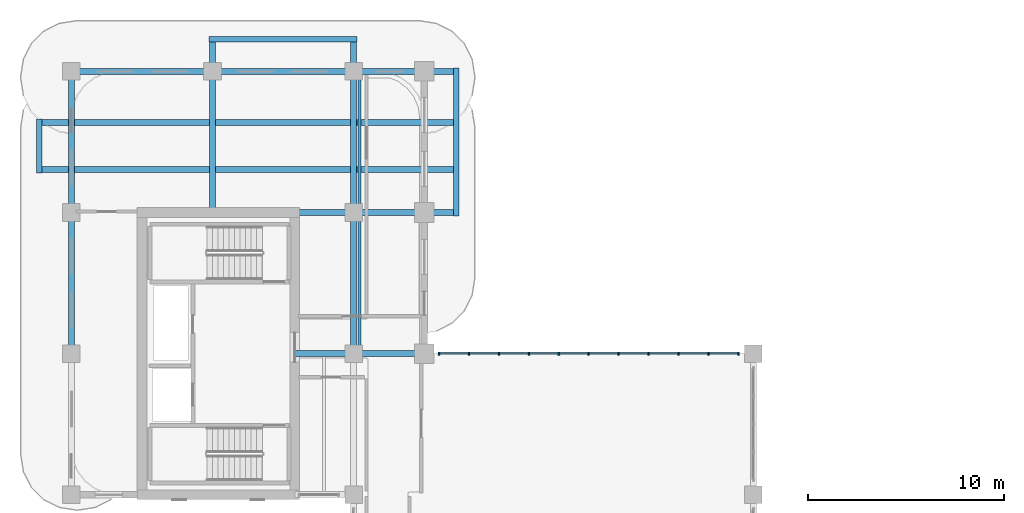
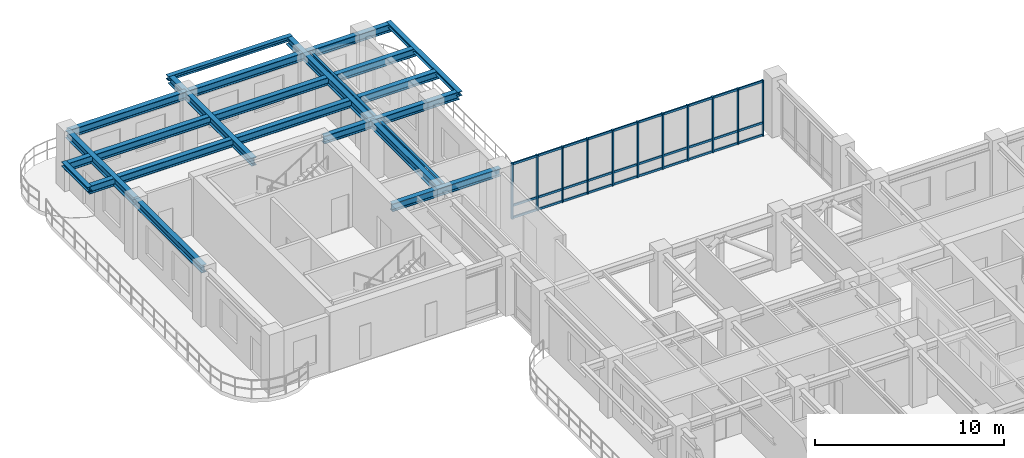
# One storey, part 4 of 19: 41 members, 16 beams, 1 element without a shape of its own.
"""IFC4 building model written with IfcOpenShell, lengths in metres."""

from ifc_helpers import new_model, si_unit, derived_unit, direction, frame, origin, origin_2d, place, context, subcontext, project, spatial, rectangle, i_section, extrude, source, transform, mapped, material, layer, layer_set, material_profile, profile_set, type_object, type_shapes, element, aggregate, save


model = new_model("IFC4")

# Units and contexts
model_context = context("Model", 3, precision=1e-05, world=origin(), true_north=direction((0.0, 1.0)))
body_context = subcontext(model_context, "Body", "Model", "MODEL_VIEW")
ifc_project = project(units=[si_unit("LENGTHUNIT", "METRE"), si_unit("AREAUNIT", "SQUARE_METRE"), si_unit("VOLUMEUNIT", "CUBIC_METRE"), si_unit("PLANEANGLEUNIT", "RADIAN"), si_unit("MASSUNIT", "GRAM", prefix="KILO"), si_unit("THERMODYNAMICTEMPERATUREUNIT", "KELVIN"), si_unit("POWERUNIT", "WATT"), derived_unit("THERMALTRANSMITTANCEUNIT", [(si_unit("POWERUNIT", "WATT"), 1), (si_unit("AREAUNIT", "SQUARE_METRE"), -1), (si_unit("THERMODYNAMICTEMPERATUREUNIT", "KELVIN"), -1)])], contexts=[model_context])

# Site, building, storey
site_placement = place(None, origin())
site = spatial("IfcSite", under=ifc_project, at=site_placement, CompositionType="ELEMENT")
building_placement = place(site_placement, origin())
building = spatial("IfcBuilding", under=site, at=building_placement, Name="Zahravan Archway Hotel and Residences", CompositionType="ELEMENT")
storey_placement = place(building_placement, frame((0.0, 0.0, 201.89990234375)))
storey = spatial("IfcBuildingStorey", under=building, at=storey_placement, Name="L50", CompositionType="ELEMENT", Elevation=201.89990234375)

# Beams
ifc_material_1 = material(Name="Structural Steel S355JR", Category="steel")
ifc_material_profile_1 = material_profile(ifc_material_1, i_section(OverallWidth=0.280029296875, OverallDepth=0.280029296875, WebThickness=0.010498046875, FlangeThickness=0.01806640625, FilletRadius=0.02392578125, at=origin_2d()), Name="HEB 280", Category="steel")
ifc_profile_set_1 = profile_set([ifc_material_profile_1], Name="Structural Steel S355JR")
beam_type_1 = type_object("IfcBeamType", Name="BM-SPN-HEB280", PredefinedType="SPANDREL", material=ifc_profile_set_1)
shared_shape_1 = source(origin(), body_context, "Body", "SweptSolid", [
    extrude(i_section(OverallWidth=0.280029296875, OverallDepth=0.280029296875, WebThickness=0.010498046875, FlangeThickness=0.01806640625, FilletRadius=0.02392578125, at=origin_2d()), origin(), (0.0, 0.0, 1.0), 7.56005859375),
])
type_shapes(beam_type_1, [shared_shape_1])
for number, where, z_axis, x_axis, name in (
    (1, (19.64990234375, 39.419921875, 3.460205078125), (0.0, 1.0, 0.0), (-1.0, 0.0, 0.0), "L51 EB Balcony Edge Spandrel"),
    (2, (7.02001953125, 48.449951171875, 3.460205078125), (1.0, 0.0, 0.0), (0.0, 1.0, 0.0), "L51 NB Balcony Edge Spandrel"),
):
    element("IfcBeam", number, at=place(storey_placement, frame(where, z_axis=z_axis, x_axis=x_axis)), inside=storey, type_object=beam_type_1, Name=name, PredefinedType="SPANDREL", context=body_context, shape_type="MappedRepresentation", body=[
        mapped(shared_shape_1, transform((0.0, 0.0, 0.0), scale=1.0)),
    ])
shared_shape_2 = source(origin(), body_context, "Body", "SweptSolid", [
    extrude(i_section(OverallWidth=0.280029296875, OverallDepth=0.280029296875, WebThickness=0.010498046875, FlangeThickness=0.01806640625, FilletRadius=0.02392578125, at=origin_2d()), origin(), (0.0, 0.0, 1.0), 2.759765625),
])
beam_1_placement = place(storey_placement, frame((-1.64990234375, 41.6201171875, 3.460205078125), z_axis=(0.0, 1.0, 0.0), x_axis=(-1.0, 0.0, 0.0)))
element("IfcBeam", 3, at=beam_1_placement, inside=storey, type_object=beam_type_1, Name="L51 WB Balcony Edge Spandrel", PredefinedType="SPANDREL", context=body_context, shape_type="MappedRepresentation", body=[
    mapped(shared_shape_2, transform((0.0, 0.0, 0.0), scale=1.0)),
])
ifc_material_profile_2 = material_profile(ifc_material_1, i_section(OverallWidth=0.300048828125, OverallDepth=0.5, WebThickness=0.014404296875, FlangeThickness=0.028076171875, FilletRadius=0.027099609375, at=origin_2d()), Name="HEB 500", Category="steel")
ifc_profile_set_2 = profile_set([ifc_material_profile_2], Name="Structural Steel S355JR")
beam_type_2 = type_object("IfcBeamType", Name="BM-PRI-HEB500", PredefinedType="BEAM", material=ifc_profile_set_2)
shared_shape_3 = source(origin(), body_context, "Body", "SweptSolid", [
    extrude(i_section(OverallWidth=0.300048828125, OverallDepth=0.5, WebThickness=0.014404296875, FlangeThickness=0.028076171875, FilletRadius=0.027099609375, at=origin_2d()), origin(), (0.0, 0.0, 1.0), 7.2001953125),
])
type_shapes(beam_type_2, [shared_shape_3])
for number, where, z_axis, x_axis, name in (
    (4, (0.0, 32.39990234375, 3.35009765625), (0.0, 1.0, 0.0), (-1.0, 0.0, 0.0), "L50 Primary Girder NS-22"),
    (5, (14.39990234375, 32.39990234375, 3.35009765625), (0.0, 1.0, 0.0), (-1.0, 0.0, 0.0), "L50 Primary Girder NS-30"),
):
    element("IfcBeam", number, at=place(storey_placement, frame(where, z_axis=z_axis, x_axis=x_axis)), inside=storey, type_object=beam_type_2, Name=name, PredefinedType="BEAM", context=body_context, shape_type="MappedRepresentation", body=[
        mapped(shared_shape_3, transform((0.0, 0.0, 0.0), scale=1.0)),
    ])
shared_shape_4 = source(origin(), body_context, "Body", "SweptSolid", [
    extrude(i_section(OverallWidth=0.300048828125, OverallDepth=0.5, WebThickness=0.014404296875, FlangeThickness=0.028076171875, FilletRadius=0.027099609375, at=origin_2d()), origin(), (0.0, 0.0, 1.0), 7.199951171875),
])
for number, where, z_axis, x_axis, name in (
    (6, (0.0, 46.800048828125, 3.35009765625), (1.0, 0.0, 0.0), (0.0, 1.0, 0.0), "L50 Primary Girder EW-17"),
    (7, (0.0, 39.60009765625, 3.35009765625), (0.0, 1.0, 0.0), (-1.0, 0.0, 0.0), "L50 Primary Girder NS-23"),
):
    element("IfcBeam", number, at=place(storey_placement, frame(where, z_axis=z_axis, x_axis=x_axis)), inside=storey, type_object=beam_type_2, Name=name, PredefinedType="BEAM", context=body_context, shape_type="MappedRepresentation", body=[
        mapped(shared_shape_4, transform((0.0, 0.0, 0.0), scale=1.0)),
    ])
shared_shape_5 = source(origin(), body_context, "Body", "SweptSolid", [
    extrude(i_section(OverallWidth=0.300048828125, OverallDepth=0.5, WebThickness=0.014404296875, FlangeThickness=0.028076171875, FilletRadius=0.027099609375, at=origin_2d()), origin(), (0.0, 0.0, 1.0), 6.60009765625),
])
beam_2_placement = place(storey_placement, frame((11.39990234375, 32.39990234375, 3.35009765625), z_axis=(1.0, 0.0, 0.0), x_axis=(0.0, 1.0, 0.0)))
element("IfcBeam", 8, at=beam_2_placement, inside=storey, type_object=beam_type_2, Name="L50 Primary Girder EW-15", PredefinedType="BEAM", context=body_context, shape_type="MappedRepresentation", body=[
    mapped(shared_shape_5, transform((0.0, 0.0, 0.0), scale=1.0)),
])
shared_shape_6 = source(origin(), body_context, "Body", "SweptSolid", [
    extrude(i_section(OverallWidth=0.300048828125, OverallDepth=0.5, WebThickness=0.014404296875, FlangeThickness=0.028076171875, FilletRadius=0.027099609375, at=origin_2d()), origin(), (0.0, 0.0, 1.0), 8.25),
])
beam_3_placement = place(storey_placement, frame((11.39990234375, 39.60009765625, 3.35009765625), z_axis=(1.0, 0.0, 0.0), x_axis=(0.0, 1.0, 0.0)))
element("IfcBeam", 9, at=beam_3_placement, inside=storey, type_object=beam_type_2, Name="L50 Primary Girder EW-16", PredefinedType="BEAM", context=body_context, shape_type="MappedRepresentation", body=[
    mapped(shared_shape_6, transform((0.0, 0.0, 0.0), scale=1.0)),
])
shared_shape_7 = source(origin(), body_context, "Body", "SweptSolid", [
    extrude(i_section(OverallWidth=0.300048828125, OverallDepth=0.5, WebThickness=0.014404296875, FlangeThickness=0.028076171875, FilletRadius=0.027099609375, at=origin_2d()), origin(), (0.0, 0.0, 1.0), 12.449951171875),
])
beam_4_placement = place(storey_placement, frame((7.199951171875, 46.800048828125, 3.35009765625), z_axis=(1.0, 0.0, 0.0), x_axis=(0.0, 1.0, 0.0)))
element("IfcBeam", 10, at=beam_4_placement, inside=storey, type_object=beam_type_2, Name="L50 Primary Girder EW-18", PredefinedType="BEAM", context=body_context, shape_type="MappedRepresentation", body=[
    mapped(shared_shape_7, transform((0.0, 0.0, 0.0), scale=1.0)),
])
shared_shape_8 = source(origin(), body_context, "Body", "SweptSolid", [
    extrude(i_section(OverallWidth=0.300048828125, OverallDepth=0.5, WebThickness=0.014404296875, FlangeThickness=0.028076171875, FilletRadius=0.027099609375, at=origin_2d()), origin(), (0.0, 0.0, 1.0), 21.2998046875),
])
for number, where, z_axis, x_axis, name in (
    (11, (-1.64990234375, 41.800048828125, 3.35009765625), (1.0, 0.0, 0.0), (0.0, 1.0, 0.0), "L50 Primary Girder EW-19"),
    (12, (-1.64990234375, 44.199951171875, 3.35009765625), (1.0, 0.0, 0.0), (0.0, 1.0, 0.0), "L50 Primary Girder EW-20"),
):
    element("IfcBeam", number, at=place(storey_placement, frame(where, z_axis=z_axis, x_axis=x_axis)), inside=storey, type_object=beam_type_2, Name=name, PredefinedType="BEAM", context=body_context, shape_type="MappedRepresentation", body=[
        mapped(shared_shape_8, transform((0.0, 0.0, 0.0), scale=1.0)),
    ])
shared_shape_9 = source(origin(), body_context, "Body", "SweptSolid", [
    extrude(i_section(OverallWidth=0.300048828125, OverallDepth=0.5, WebThickness=0.014404296875, FlangeThickness=0.028076171875, FilletRadius=0.027099609375, at=origin_2d()), origin(), (0.0, 0.0, 1.0), 8.849853515625),
])
for number, where, z_axis, x_axis, name in (
    (13, (7.199951171875, 39.60009765625, 3.35009765625), (0.0, 1.0, 0.0), (-1.0, 0.0, 0.0), "L50 Primary Girder NS-24"),
    (14, (14.39990234375, 39.60009765625, 3.35009765625), (0.0, 1.0, 0.0), (-1.0, 0.0, 0.0), "L50 Primary Girder NS-31"),
):
    element("IfcBeam", number, at=place(storey_placement, frame(where, z_axis=z_axis, x_axis=x_axis)), inside=storey, type_object=beam_type_2, Name=name, PredefinedType="BEAM", context=body_context, shape_type="MappedRepresentation", body=[
        mapped(shared_shape_9, transform((0.0, 0.0, 0.0), scale=1.0)),
    ])
ifc_material_profile_3 = material_profile(ifc_material_1, i_section(OverallWidth=0.14990234375, OverallDepth=0.300048828125, WebThickness=0.007080078125, FlangeThickness=0.0107421875, FilletRadius=0.014892578125, at=origin_2d()), Name="IPE 300", Category="steel")
ifc_profile_set_3 = profile_set([ifc_material_profile_3], Name="Structural Steel S355JR")
beam_type_3 = type_object("IfcBeamType", Name="BM-JST-IPE300", PredefinedType="JOIST", material=ifc_profile_set_3)
shared_shape_10 = source(origin(), body_context, "Body", "SweptSolid", [
    extrude(i_section(OverallWidth=0.14990234375, OverallDepth=0.300048828125, WebThickness=0.007080078125, FlangeThickness=0.0107421875, FilletRadius=0.014892578125, at=origin_2d()), origin(), (0.0, 0.0, 1.0), 6.904052734375),
])
type_shapes(beam_type_3, [shared_shape_10])
beam_5_placement = place(storey_placement, frame((14.699951171875, 39.748046875, 3.4501953125), z_axis=(0.0, 1.0, 0.0), x_axis=(-1.0, 0.0, 0.0)))
element("IfcBeam", 15, at=beam_5_placement, inside=storey, type_object=beam_type_3, Name="L50 Composite Floor Joist 10", PredefinedType="JOIST", context=body_context, shape_type="MappedRepresentation", body=[
    mapped(shared_shape_10, transform((0.0, 0.0, 0.0), scale=1.0)),
])
shared_shape_11 = source(origin(), body_context, "Body", "SweptSolid", [
    extrude(i_section(OverallWidth=0.14990234375, OverallDepth=0.300048828125, WebThickness=0.007080078125, FlangeThickness=0.0107421875, FilletRadius=0.014892578125, at=origin_2d()), origin(), (0.0, 0.0, 1.0), 6.90380859375),
])
beam_6_placement = place(storey_placement, frame((14.699951171875, 32.548095703125, 3.4501953125), z_axis=(0.0, 1.0, 0.0), x_axis=(-1.0, 0.0, 0.0)))
element("IfcBeam", 16, at=beam_6_placement, inside=storey, type_object=beam_type_3, Name="L50 Composite Floor Joist 09", PredefinedType="JOIST", context=body_context, shape_type="MappedRepresentation", body=[
    mapped(shared_shape_11, transform((0.0, 0.0, 0.0), scale=1.0)),
])

# Curtain wall, members
ifc_material_2 = material(Name="Bronze-Anodized Unitised Aluminium & Low-E Glass", Category="aluminium")
ifc_layer = layer(ifc_material_2, 0.179931640625, Name="Bronze-Anodized Unitised Aluminium & Low-E Glass", Category="aluminium")
ifc_layer_set = layer_set([ifc_layer], Name="Bronze-Anodized Unitised Aluminium & Low-E Glass")
curtain_wall_type = type_object("IfcCurtainWallType", Name="CW-SBG-2", PredefinedType="NOTDEFINED", material=ifc_layer_set)
curtain_wall_placement = place(storey_placement, origin())
curtain_wall = element("IfcCurtainWall", 17, at=curtain_wall_placement, inside=storey, type_object=curtain_wall_type, Name="L50 Curtain Wall CW-L50-HNG-N-1", PredefinedType="NOTDEFINED")
ifc_material_3 = material(Name="Bronze-Anodized Extruded Aluminium", Category="aluminium")
ifc_material_profile_4 = material_profile(ifc_material_3, rectangle(XDim=0.080078125, YDim=0.139892578125, at=origin_2d()), Name="TRN 80x140", Category="aluminium")
ifc_profile_set_4 = profile_set([ifc_material_profile_4], Name="Bronze-Anodized Extruded Aluminium")
member_type_1 = type_object("IfcMemberType", Name="CWM-TRN-140", PredefinedType="USERDEFINED", material=ifc_profile_set_4)
shared_shape_12 = source(origin(), body_context, "Body", "SweptSolid", [
    extrude(rectangle(XDim=0.080078125, YDim=0.139892578125, at=origin_2d()), origin(), (0.0, 0.0, 1.0), 1.447998046875),
])
member_1_placement = place(storey_placement, frame((18.800048828125, 32.39990234375, 0.070068359375), z_axis=(1.0, 0.0, 0.0), x_axis=(0.0, 1.0, 0.0)))
member_1 = element("IfcMember", 18, at=member_1_placement, type_object=member_type_1, Name="CW-L50-HNG-N-1 Transom 0-1", ObjectType="TRANSOM", PredefinedType="USERDEFINED", context=body_context, shape_type="MappedRepresentation", body=[
    mapped(shared_shape_12, transform((0.0, 0.0, 0.0), scale=1.0)),
])
member_2_placement = place(storey_placement, frame((18.800048828125, 32.39990234375, 0.85009765625), z_axis=(1.0, 0.0, 0.0), x_axis=(0.0, 1.0, 0.0)))
member_2 = element("IfcMember", 19, at=member_2_placement, type_object=member_type_1, Name="CW-L50-HNG-N-1 Transom 0-2", ObjectType="TRANSOM", PredefinedType="USERDEFINED", context=body_context, shape_type="MappedRepresentation", body=[
    mapped(shared_shape_12, transform((0.0, 0.0, 0.0), scale=1.0)),
])
member_3_placement = place(storey_placement, frame((18.800048828125, 32.39990234375, 3.530029296875), z_axis=(1.0, 0.0, 0.0), x_axis=(0.0, 1.0, 0.0)))
member_3 = element("IfcMember", 20, at=member_3_placement, type_object=member_type_1, Name="CW-L50-HNG-N-1 Transom 0-3", ObjectType="TRANSOM", PredefinedType="USERDEFINED", context=body_context, shape_type="MappedRepresentation", body=[
    mapped(shared_shape_12, transform((0.0, 0.0, 0.0), scale=1.0)),
])
member_4_placement = place(storey_placement, frame((20.327880859375, 32.39990234375, 0.070068359375), z_axis=(1.0, 0.0, 0.0), x_axis=(0.0, 1.0, 0.0)))
member_4 = element("IfcMember", 21, at=member_4_placement, type_object=member_type_1, Name="CW-L50-HNG-N-1 Transom 1-1", ObjectType="TRANSOM", PredefinedType="USERDEFINED", context=body_context, shape_type="MappedRepresentation", body=[
    mapped(shared_shape_12, transform((0.0, 0.0, 0.0), scale=1.0)),
])
member_5_placement = place(storey_placement, frame((20.327880859375, 32.39990234375, 0.85009765625), z_axis=(1.0, 0.0, 0.0), x_axis=(0.0, 1.0, 0.0)))
member_5 = element("IfcMember", 22, at=member_5_placement, type_object=member_type_1, Name="CW-L50-HNG-N-1 Transom 1-2", ObjectType="TRANSOM", PredefinedType="USERDEFINED", context=body_context, shape_type="MappedRepresentation", body=[
    mapped(shared_shape_12, transform((0.0, 0.0, 0.0), scale=1.0)),
])
member_6_placement = place(storey_placement, frame((20.327880859375, 32.39990234375, 3.530029296875), z_axis=(1.0, 0.0, 0.0), x_axis=(0.0, 1.0, 0.0)))
member_6 = element("IfcMember", 23, at=member_6_placement, type_object=member_type_1, Name="CW-L50-HNG-N-1 Transom 1-3", ObjectType="TRANSOM", PredefinedType="USERDEFINED", context=body_context, shape_type="MappedRepresentation", body=[
    mapped(shared_shape_12, transform((0.0, 0.0, 0.0), scale=1.0)),
])
member_7_placement = place(storey_placement, frame((21.85595703125, 32.39990234375, 0.070068359375), z_axis=(1.0, 0.0, 0.0), x_axis=(0.0, 1.0, 0.0)))
member_7 = element("IfcMember", 24, at=member_7_placement, type_object=member_type_1, Name="CW-L50-HNG-N-1 Transom 2-1", ObjectType="TRANSOM", PredefinedType="USERDEFINED", context=body_context, shape_type="MappedRepresentation", body=[
    mapped(shared_shape_12, transform((0.0, 0.0, 0.0), scale=1.0)),
])
member_8_placement = place(storey_placement, frame((21.85595703125, 32.39990234375, 0.85009765625), z_axis=(1.0, 0.0, 0.0), x_axis=(0.0, 1.0, 0.0)))
member_8 = element("IfcMember", 25, at=member_8_placement, type_object=member_type_1, Name="CW-L50-HNG-N-1 Transom 2-2", ObjectType="TRANSOM", PredefinedType="USERDEFINED", context=body_context, shape_type="MappedRepresentation", body=[
    mapped(shared_shape_12, transform((0.0, 0.0, 0.0), scale=1.0)),
])
member_9_placement = place(storey_placement, frame((21.85595703125, 32.39990234375, 3.530029296875), z_axis=(1.0, 0.0, 0.0), x_axis=(0.0, 1.0, 0.0)))
member_9 = element("IfcMember", 26, at=member_9_placement, type_object=member_type_1, Name="CW-L50-HNG-N-1 Transom 2-3", ObjectType="TRANSOM", PredefinedType="USERDEFINED", context=body_context, shape_type="MappedRepresentation", body=[
    mapped(shared_shape_12, transform((0.0, 0.0, 0.0), scale=1.0)),
])
member_10_placement = place(storey_placement, frame((23.384033203125, 32.39990234375, 0.070068359375), z_axis=(1.0, 0.0, 0.0), x_axis=(0.0, 1.0, 0.0)))
member_10 = element("IfcMember", 27, at=member_10_placement, type_object=member_type_1, Name="CW-L50-HNG-N-1 Transom 3-1", ObjectType="TRANSOM", PredefinedType="USERDEFINED", context=body_context, shape_type="MappedRepresentation", body=[
    mapped(shared_shape_12, transform((0.0, 0.0, 0.0), scale=1.0)),
])
member_11_placement = place(storey_placement, frame((23.384033203125, 32.39990234375, 0.85009765625), z_axis=(1.0, 0.0, 0.0), x_axis=(0.0, 1.0, 0.0)))
member_11 = element("IfcMember", 28, at=member_11_placement, type_object=member_type_1, Name="CW-L50-HNG-N-1 Transom 3-2", ObjectType="TRANSOM", PredefinedType="USERDEFINED", context=body_context, shape_type="MappedRepresentation", body=[
    mapped(shared_shape_12, transform((0.0, 0.0, 0.0), scale=1.0)),
])
member_12_placement = place(storey_placement, frame((23.384033203125, 32.39990234375, 3.530029296875), z_axis=(1.0, 0.0, 0.0), x_axis=(0.0, 1.0, 0.0)))
member_12 = element("IfcMember", 29, at=member_12_placement, type_object=member_type_1, Name="CW-L50-HNG-N-1 Transom 3-3", ObjectType="TRANSOM", PredefinedType="USERDEFINED", context=body_context, shape_type="MappedRepresentation", body=[
    mapped(shared_shape_12, transform((0.0, 0.0, 0.0), scale=1.0)),
])
member_13_placement = place(storey_placement, frame((24.912109375, 32.39990234375, 0.070068359375), z_axis=(1.0, 0.0, 0.0), x_axis=(0.0, 1.0, 0.0)))
member_13 = element("IfcMember", 30, at=member_13_placement, type_object=member_type_1, Name="CW-L50-HNG-N-1 Transom 4-1", ObjectType="TRANSOM", PredefinedType="USERDEFINED", context=body_context, shape_type="MappedRepresentation", body=[
    mapped(shared_shape_12, transform((0.0, 0.0, 0.0), scale=1.0)),
])
member_14_placement = place(storey_placement, frame((24.912109375, 32.39990234375, 0.85009765625), z_axis=(1.0, 0.0, 0.0), x_axis=(0.0, 1.0, 0.0)))
member_14 = element("IfcMember", 31, at=member_14_placement, type_object=member_type_1, Name="CW-L50-HNG-N-1 Transom 4-2", ObjectType="TRANSOM", PredefinedType="USERDEFINED", context=body_context, shape_type="MappedRepresentation", body=[
    mapped(shared_shape_12, transform((0.0, 0.0, 0.0), scale=1.0)),
])
member_15_placement = place(storey_placement, frame((24.912109375, 32.39990234375, 3.530029296875), z_axis=(1.0, 0.0, 0.0), x_axis=(0.0, 1.0, 0.0)))
member_15 = element("IfcMember", 32, at=member_15_placement, type_object=member_type_1, Name="CW-L50-HNG-N-1 Transom 4-3", ObjectType="TRANSOM", PredefinedType="USERDEFINED", context=body_context, shape_type="MappedRepresentation", body=[
    mapped(shared_shape_12, transform((0.0, 0.0, 0.0), scale=1.0)),
])
member_16_placement = place(storey_placement, frame((26.43994140625, 32.39990234375, 0.070068359375), z_axis=(1.0, 0.0, 0.0), x_axis=(0.0, 1.0, 0.0)))
member_16 = element("IfcMember", 33, at=member_16_placement, type_object=member_type_1, Name="CW-L50-HNG-N-1 Transom 5-1", ObjectType="TRANSOM", PredefinedType="USERDEFINED", context=body_context, shape_type="MappedRepresentation", body=[
    mapped(shared_shape_12, transform((0.0, 0.0, 0.0), scale=1.0)),
])
member_17_placement = place(storey_placement, frame((26.43994140625, 32.39990234375, 0.85009765625), z_axis=(1.0, 0.0, 0.0), x_axis=(0.0, 1.0, 0.0)))
member_17 = element("IfcMember", 34, at=member_17_placement, type_object=member_type_1, Name="CW-L50-HNG-N-1 Transom 5-2", ObjectType="TRANSOM", PredefinedType="USERDEFINED", context=body_context, shape_type="MappedRepresentation", body=[
    mapped(shared_shape_12, transform((0.0, 0.0, 0.0), scale=1.0)),
])
member_18_placement = place(storey_placement, frame((26.43994140625, 32.39990234375, 3.530029296875), z_axis=(1.0, 0.0, 0.0), x_axis=(0.0, 1.0, 0.0)))
member_18 = element("IfcMember", 35, at=member_18_placement, type_object=member_type_1, Name="CW-L50-HNG-N-1 Transom 5-3", ObjectType="TRANSOM", PredefinedType="USERDEFINED", context=body_context, shape_type="MappedRepresentation", body=[
    mapped(shared_shape_12, transform((0.0, 0.0, 0.0), scale=1.0)),
])
member_19_placement = place(storey_placement, frame((27.968017578125, 32.39990234375, 0.070068359375), z_axis=(1.0, 0.0, 0.0), x_axis=(0.0, 1.0, 0.0)))
member_19 = element("IfcMember", 36, at=member_19_placement, type_object=member_type_1, Name="CW-L50-HNG-N-1 Transom 6-1", ObjectType="TRANSOM", PredefinedType="USERDEFINED", context=body_context, shape_type="MappedRepresentation", body=[
    mapped(shared_shape_12, transform((0.0, 0.0, 0.0), scale=1.0)),
])
member_20_placement = place(storey_placement, frame((27.968017578125, 32.39990234375, 0.85009765625), z_axis=(1.0, 0.0, 0.0), x_axis=(0.0, 1.0, 0.0)))
member_20 = element("IfcMember", 37, at=member_20_placement, type_object=member_type_1, Name="CW-L50-HNG-N-1 Transom 6-2", ObjectType="TRANSOM", PredefinedType="USERDEFINED", context=body_context, shape_type="MappedRepresentation", body=[
    mapped(shared_shape_12, transform((0.0, 0.0, 0.0), scale=1.0)),
])
member_21_placement = place(storey_placement, frame((27.968017578125, 32.39990234375, 3.530029296875), z_axis=(1.0, 0.0, 0.0), x_axis=(0.0, 1.0, 0.0)))
member_21 = element("IfcMember", 38, at=member_21_placement, type_object=member_type_1, Name="CW-L50-HNG-N-1 Transom 6-3", ObjectType="TRANSOM", PredefinedType="USERDEFINED", context=body_context, shape_type="MappedRepresentation", body=[
    mapped(shared_shape_12, transform((0.0, 0.0, 0.0), scale=1.0)),
])
member_22_placement = place(storey_placement, frame((29.49609375, 32.39990234375, 0.070068359375), z_axis=(1.0, 0.0, 0.0), x_axis=(0.0, 1.0, 0.0)))
member_22 = element("IfcMember", 39, at=member_22_placement, type_object=member_type_1, Name="CW-L50-HNG-N-1 Transom 7-1", ObjectType="TRANSOM", PredefinedType="USERDEFINED", context=body_context, shape_type="MappedRepresentation", body=[
    mapped(shared_shape_12, transform((0.0, 0.0, 0.0), scale=1.0)),
])
member_23_placement = place(storey_placement, frame((29.49609375, 32.39990234375, 0.85009765625), z_axis=(1.0, 0.0, 0.0), x_axis=(0.0, 1.0, 0.0)))
member_23 = element("IfcMember", 40, at=member_23_placement, type_object=member_type_1, Name="CW-L50-HNG-N-1 Transom 7-2", ObjectType="TRANSOM", PredefinedType="USERDEFINED", context=body_context, shape_type="MappedRepresentation", body=[
    mapped(shared_shape_12, transform((0.0, 0.0, 0.0), scale=1.0)),
])
member_24_placement = place(storey_placement, frame((29.49609375, 32.39990234375, 3.530029296875), z_axis=(1.0, 0.0, 0.0), x_axis=(0.0, 1.0, 0.0)))
member_24 = element("IfcMember", 41, at=member_24_placement, type_object=member_type_1, Name="CW-L50-HNG-N-1 Transom 7-3", ObjectType="TRANSOM", PredefinedType="USERDEFINED", context=body_context, shape_type="MappedRepresentation", body=[
    mapped(shared_shape_12, transform((0.0, 0.0, 0.0), scale=1.0)),
])
member_25_placement = place(storey_placement, frame((31.02392578125, 32.39990234375, 0.070068359375), z_axis=(1.0, 0.0, 0.0), x_axis=(0.0, 1.0, 0.0)))
member_25 = element("IfcMember", 42, at=member_25_placement, type_object=member_type_1, Name="CW-L50-HNG-N-1 Transom 8-1", ObjectType="TRANSOM", PredefinedType="USERDEFINED", context=body_context, shape_type="MappedRepresentation", body=[
    mapped(shared_shape_12, transform((0.0, 0.0, 0.0), scale=1.0)),
])
member_26_placement = place(storey_placement, frame((31.02392578125, 32.39990234375, 0.85009765625), z_axis=(1.0, 0.0, 0.0), x_axis=(0.0, 1.0, 0.0)))
member_26 = element("IfcMember", 43, at=member_26_placement, type_object=member_type_1, Name="CW-L50-HNG-N-1 Transom 8-2", ObjectType="TRANSOM", PredefinedType="USERDEFINED", context=body_context, shape_type="MappedRepresentation", body=[
    mapped(shared_shape_12, transform((0.0, 0.0, 0.0), scale=1.0)),
])
member_27_placement = place(storey_placement, frame((31.02392578125, 32.39990234375, 3.530029296875), z_axis=(1.0, 0.0, 0.0), x_axis=(0.0, 1.0, 0.0)))
member_27 = element("IfcMember", 44, at=member_27_placement, type_object=member_type_1, Name="CW-L50-HNG-N-1 Transom 8-3", ObjectType="TRANSOM", PredefinedType="USERDEFINED", context=body_context, shape_type="MappedRepresentation", body=[
    mapped(shared_shape_12, transform((0.0, 0.0, 0.0), scale=1.0)),
])
member_28_placement = place(storey_placement, frame((32.552001953125, 32.39990234375, 0.070068359375), z_axis=(1.0, 0.0, 0.0), x_axis=(0.0, 1.0, 0.0)))
member_28 = element("IfcMember", 45, at=member_28_placement, type_object=member_type_1, Name="CW-L50-HNG-N-1 Transom 9-1", ObjectType="TRANSOM", PredefinedType="USERDEFINED", context=body_context, shape_type="MappedRepresentation", body=[
    mapped(shared_shape_12, transform((0.0, 0.0, 0.0), scale=1.0)),
])
member_29_placement = place(storey_placement, frame((32.552001953125, 32.39990234375, 0.85009765625), z_axis=(1.0, 0.0, 0.0), x_axis=(0.0, 1.0, 0.0)))
member_29 = element("IfcMember", 46, at=member_29_placement, type_object=member_type_1, Name="CW-L50-HNG-N-1 Transom 9-2", ObjectType="TRANSOM", PredefinedType="USERDEFINED", context=body_context, shape_type="MappedRepresentation", body=[
    mapped(shared_shape_12, transform((0.0, 0.0, 0.0), scale=1.0)),
])
member_30_placement = place(storey_placement, frame((32.552001953125, 32.39990234375, 3.530029296875), z_axis=(1.0, 0.0, 0.0), x_axis=(0.0, 1.0, 0.0)))
member_30 = element("IfcMember", 47, at=member_30_placement, type_object=member_type_1, Name="CW-L50-HNG-N-1 Transom 9-3", ObjectType="TRANSOM", PredefinedType="USERDEFINED", context=body_context, shape_type="MappedRepresentation", body=[
    mapped(shared_shape_12, transform((0.0, 0.0, 0.0), scale=1.0)),
])
ifc_material_profile_5 = material_profile(ifc_material_3, rectangle(XDim=0.080078125, YDim=0.159912109375, at=origin_2d()), Name="MUL 80x160", Category="aluminium")
ifc_profile_set_5 = profile_set([ifc_material_profile_5], Name="Bronze-Anodized Extruded Aluminium")
member_type_2 = type_object("IfcMemberType", Name="CWM-MUL-160", PredefinedType="MULLION", material=ifc_profile_set_5)
shared_shape_13 = source(origin(), body_context, "Body", "SweptSolid", [
    extrude(rectangle(XDim=0.080078125, YDim=0.159912109375, at=origin_2d()), origin(), (0.0, 0.0, 1.0), 3.60009765625),
])
member_31_placement = place(storey_placement, frame((18.760009765625, 32.39990234375, 0.0), z_axis=(0.0, 0.0, 1.0), x_axis=(1.0, 0.0, 0.0)))
member_31 = element("IfcMember", 48, at=member_31_placement, type_object=member_type_2, Name="CW-L50-HNG-N-1 Mullion 0", PredefinedType="MULLION", context=body_context, shape_type="MappedRepresentation", body=[
    mapped(shared_shape_13, transform((0.0, 0.0, 0.0), scale=1.0)),
])
member_32_placement = place(storey_placement, frame((20.2880859375, 32.39990234375, 0.0), z_axis=(0.0, 0.0, 1.0), x_axis=(1.0, 0.0, 0.0)))
member_32 = element("IfcMember", 49, at=member_32_placement, type_object=member_type_2, Name="CW-L50-HNG-N-1 Mullion 1", PredefinedType="MULLION", context=body_context, shape_type="MappedRepresentation", body=[
    mapped(shared_shape_13, transform((0.0, 0.0, 0.0), scale=1.0)),
])
member_33_placement = place(storey_placement, frame((21.81591796875, 32.39990234375, 0.0), z_axis=(0.0, 0.0, 1.0), x_axis=(1.0, 0.0, 0.0)))
member_33 = element("IfcMember", 50, at=member_33_placement, type_object=member_type_2, Name="CW-L50-HNG-N-1 Mullion 2", PredefinedType="MULLION", context=body_context, shape_type="MappedRepresentation", body=[
    mapped(shared_shape_13, transform((0.0, 0.0, 0.0), scale=1.0)),
])
member_34_placement = place(storey_placement, frame((23.343994140625, 32.39990234375, 0.0), z_axis=(0.0, 0.0, 1.0), x_axis=(1.0, 0.0, 0.0)))
member_34 = element("IfcMember", 51, at=member_34_placement, type_object=member_type_2, Name="CW-L50-HNG-N-1 Mullion 3", PredefinedType="MULLION", context=body_context, shape_type="MappedRepresentation", body=[
    mapped(shared_shape_13, transform((0.0, 0.0, 0.0), scale=1.0)),
])
member_35_placement = place(storey_placement, frame((24.8720703125, 32.39990234375, 0.0), z_axis=(0.0, 0.0, 1.0), x_axis=(1.0, 0.0, 0.0)))
member_35 = element("IfcMember", 52, at=member_35_placement, type_object=member_type_2, Name="CW-L50-HNG-N-1 Mullion 4", PredefinedType="MULLION", context=body_context, shape_type="MappedRepresentation", body=[
    mapped(shared_shape_13, transform((0.0, 0.0, 0.0), scale=1.0)),
])
member_36_placement = place(storey_placement, frame((26.39990234375, 32.39990234375, 0.0), z_axis=(0.0, 0.0, 1.0), x_axis=(1.0, 0.0, 0.0)))
member_36 = element("IfcMember", 53, at=member_36_placement, type_object=member_type_2, Name="CW-L50-HNG-N-1 Mullion 5", PredefinedType="MULLION", context=body_context, shape_type="MappedRepresentation", body=[
    mapped(shared_shape_13, transform((0.0, 0.0, 0.0), scale=1.0)),
])
member_37_placement = place(storey_placement, frame((27.927978515625, 32.39990234375, 0.0), z_axis=(0.0, 0.0, 1.0), x_axis=(1.0, 0.0, 0.0)))
member_37 = element("IfcMember", 54, at=member_37_placement, type_object=member_type_2, Name="CW-L50-HNG-N-1 Mullion 6", PredefinedType="MULLION", context=body_context, shape_type="MappedRepresentation", body=[
    mapped(shared_shape_13, transform((0.0, 0.0, 0.0), scale=1.0)),
])
member_38_placement = place(storey_placement, frame((29.4560546875, 32.39990234375, 0.0), z_axis=(0.0, 0.0, 1.0), x_axis=(1.0, 0.0, 0.0)))
member_38 = element("IfcMember", 55, at=member_38_placement, type_object=member_type_2, Name="CW-L50-HNG-N-1 Mullion 7", PredefinedType="MULLION", context=body_context, shape_type="MappedRepresentation", body=[
    mapped(shared_shape_13, transform((0.0, 0.0, 0.0), scale=1.0)),
])
member_39_placement = place(storey_placement, frame((30.98388671875, 32.39990234375, 0.0), z_axis=(0.0, 0.0, 1.0), x_axis=(1.0, 0.0, 0.0)))
member_39 = element("IfcMember", 56, at=member_39_placement, type_object=member_type_2, Name="CW-L50-HNG-N-1 Mullion 8", PredefinedType="MULLION", context=body_context, shape_type="MappedRepresentation", body=[
    mapped(shared_shape_13, transform((0.0, 0.0, 0.0), scale=1.0)),
])
member_40_placement = place(storey_placement, frame((32.511962890625, 32.39990234375, 0.0), z_axis=(0.0, 0.0, 1.0), x_axis=(1.0, 0.0, 0.0)))
member_40 = element("IfcMember", 57, at=member_40_placement, type_object=member_type_2, Name="CW-L50-HNG-N-1 Mullion 9", PredefinedType="MULLION", context=body_context, shape_type="MappedRepresentation", body=[
    mapped(shared_shape_13, transform((0.0, 0.0, 0.0), scale=1.0)),
])
member_41_placement = place(storey_placement, frame((34.0400390625, 32.39990234375, 0.0), z_axis=(0.0, 0.0, 1.0), x_axis=(1.0, 0.0, 0.0)))
member_41 = element("IfcMember", 58, at=member_41_placement, type_object=member_type_2, Name="CW-L50-HNG-N-1 Mullion 10", PredefinedType="MULLION", context=body_context, shape_type="MappedRepresentation", body=[
    mapped(shared_shape_13, transform((0.0, 0.0, 0.0), scale=1.0)),
])
aggregate(curtain_wall, [member_31, member_32, member_33, member_34, member_35, member_36, member_37, member_38, member_39, member_40, member_41, member_1, member_2, member_3, member_4, member_5, member_6, member_7, member_8, member_9, member_10, member_11, member_12, member_13, member_14, member_15, member_16, member_17, member_18, member_19, member_20, member_21, member_22, member_23, member_24, member_25, member_26, member_27, member_28, member_29, member_30])

save(model, "model.ifc")
